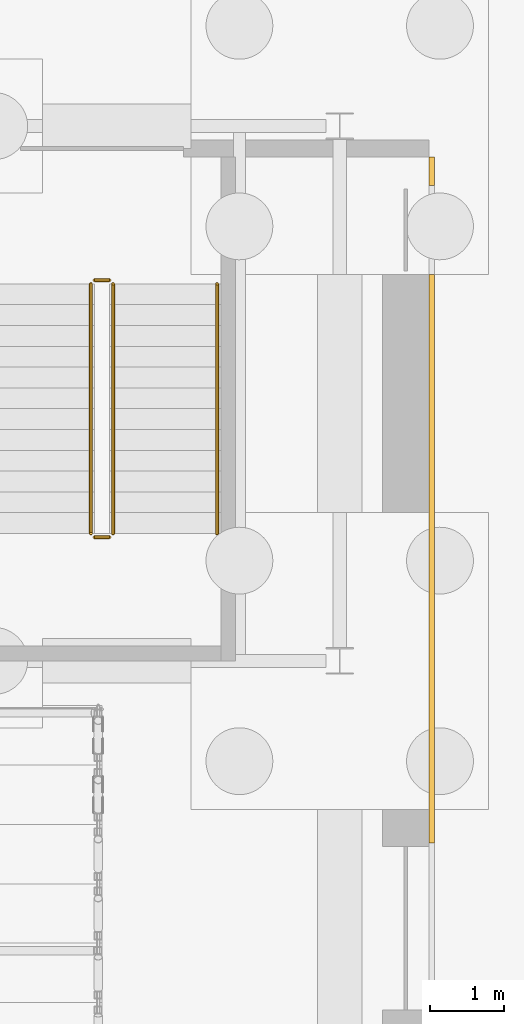
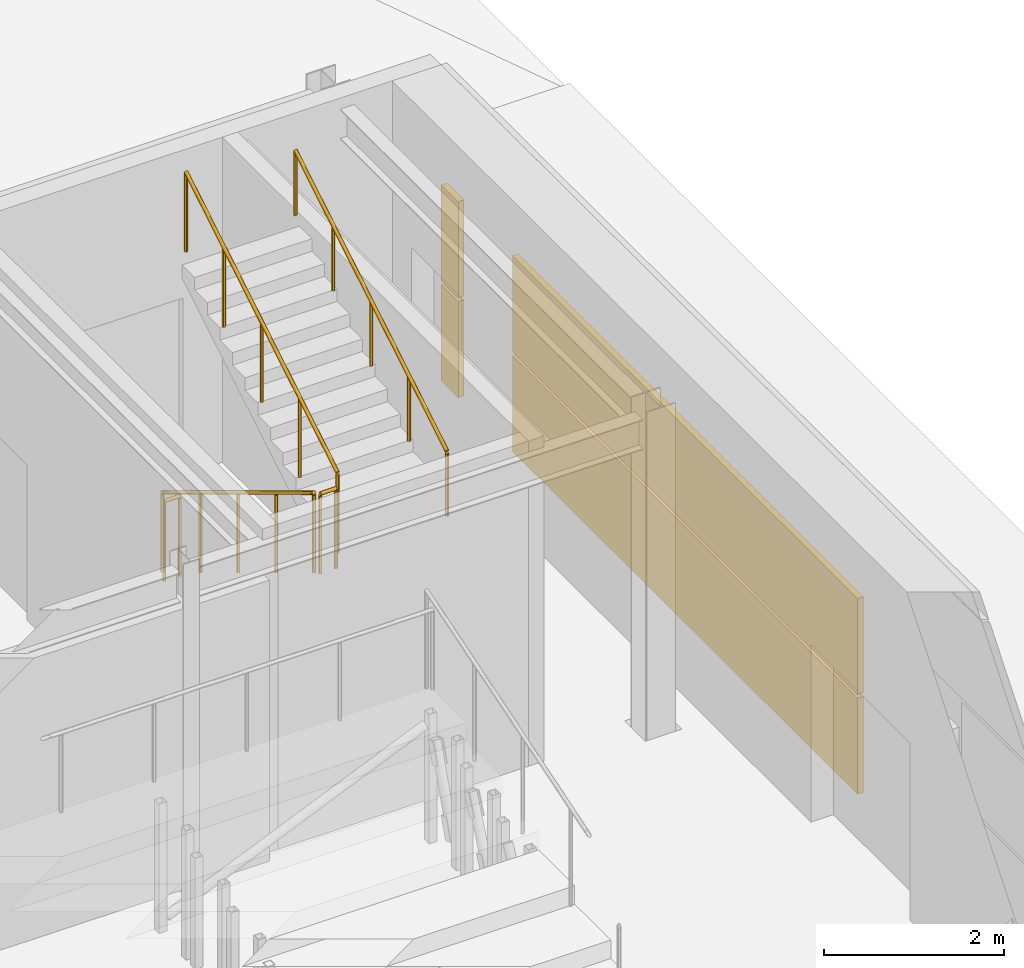
# One storey, part 135 of 139: 5 railings, 4 coverings.
"""IFC4 building model written with IfcOpenShell, lengths in metres."""

from ifc_helpers import new_model, si_unit, direction, frame, origin, origin_2d, place, context, subcontext, project, spatial, rectangle, circle, extrude, material, layer, layer_set, type_object, element, save


model = new_model("IFC4")

# Units and contexts
model_context = context("Model", 3, precision=1e-05, world=origin(), true_north=direction((0.0, 1.0)))
body_context = subcontext(model_context, "Body", "Model", "MODEL_VIEW")
ifc_project = project(units=[si_unit("LENGTHUNIT", "METRE"), si_unit("AREAUNIT", "SQUARE_METRE"), si_unit("VOLUMEUNIT", "CUBIC_METRE"), si_unit("PLANEANGLEUNIT", "RADIAN"), si_unit("MASSUNIT", "GRAM", prefix="KILO")], contexts=[model_context])

# Site, building, storey
site_placement = place(None, origin())
site = spatial("IfcSite", under=ifc_project, at=site_placement, CompositionType="ELEMENT")
building_placement = place(site_placement, origin())
building = spatial("IfcBuilding", under=site, at=building_placement, Name="Verrick Yard Athletic Hall", CompositionType="ELEMENT")
storey_placement = place(building_placement, origin())
storey = spatial("IfcBuildingStorey", under=building, at=storey_placement, Name="L00", CompositionType="ELEMENT", Elevation=0.0)

# Railings
ifc_material_1 = material(Name="Stainless steel", Category="steel")
railing_type_1 = type_object("IfcRailingType", Name="Stair and core guard 1100", PredefinedType="GUARDRAIL", material=ifc_material_1)
railing_1_placement = place(storey_placement, frame((166.25, 105.875, 0.169189453125)))
element("IfcRailing", 1, at=railing_1_placement, inside=storey, type_object=railing_type_1, Name="L00 Sports Hall A east band stair guard 1", PredefinedType="GUARDRAIL", context=body_context, shape_type="SweptSolid", body=[
    extrude(circle(Radius=0.02392578125, at=origin_2d()), frame((0.0, 0.0, 1.076171875), z_axis=(0.0, -0.855836976705, 0.517245656632), x_axis=(1.0, 0.0, 0.0)), (0.0, 0.0, 1.0), 3.926025390625),
    extrude(circle(Radius=0.02099609375, at=origin_2d()), origin(), (0.0, 0.0, 1.0), 1.052001953125),
    extrude(circle(Radius=0.02099609375, at=origin_2d()), frame((0.0, -0.840087890625, 0.5078125)), (0.0, 0.0, 1.0), 1.052001953125),
    extrude(circle(Radius=0.02099609375, at=origin_2d()), frame((0.0, -1.68017578125, 1.015380859375)), (0.0, 0.0, 1.0), 1.052001953125),
    extrude(circle(Radius=0.02099609375, at=origin_2d()), frame((0.0, -2.52001953125, 1.52294921875)), (0.0, 0.0, 1.0), 1.052001953125),
    extrude(circle(Radius=0.02099609375, at=origin_2d()), frame((0.0, -3.360107421875, 2.03076171875)), (0.0, 0.0, 1.0), 1.052001953125),
])
railing_2_placement = place(storey_placement, frame((166.300048828125, 102.465087890625, 2.199951171875)))
element("IfcRailing", 2, at=railing_2_placement, inside=storey, type_object=railing_type_1, Name="L00 Sports Hall A east band stair guard 2", PredefinedType="GUARDRAIL", context=body_context, shape_type="SweptSolid", body=[
    extrude(circle(Radius=0.02392578125, at=origin_2d()), frame((0.0, 0.0, 1.076171875), z_axis=(1.0, 0.0, 0.0), x_axis=(0.0, 1.0, 0.0)), (0.0, 0.0, 1.0), 0.199951171875),
    extrude(circle(Radius=0.02099609375, at=origin_2d()), origin(), (0.0, 0.0, 1.0), 1.052001953125),
    extrude(circle(Radius=0.02099609375, at=origin_2d()), frame((0.199951171875, 0.0, 0.0)), (0.0, 0.0, 1.0), 1.052001953125),
])
railing_3_placement = place(storey_placement, frame((166.550048828125, 102.514892578125, 2.369140625)))
element("IfcRailing", 3, at=railing_3_placement, inside=storey, type_object=railing_type_1, Name="L00 Sports Hall A east band stair guard 3", PredefinedType="GUARDRAIL", context=body_context, shape_type="SweptSolid", body=[
    extrude(circle(Radius=0.02392578125, at=origin_2d()), frame((0.0, 0.0, 1.076171875), z_axis=(0.0, 0.855836976705, 0.517245656632), x_axis=(-1.0, 0.0, 0.0)), (0.0, 0.0, 1.0), 3.926025390625),
    extrude(circle(Radius=0.02099609375, at=origin_2d()), origin(), (0.0, 0.0, 1.0), 1.052001953125),
    extrude(circle(Radius=0.02099609375, at=origin_2d()), frame((0.0, 0.840087890625, 0.5078125)), (0.0, 0.0, 1.0), 1.052001953125),
    extrude(circle(Radius=0.02099609375, at=origin_2d()), frame((0.0, 1.68017578125, 1.015380859375)), (0.0, 0.0, 1.0), 1.052001953125),
    extrude(circle(Radius=0.02099609375, at=origin_2d()), frame((0.0, 2.52001953125, 1.52294921875)), (0.0, 0.0, 1.0), 1.052001953125),
    extrude(circle(Radius=0.02099609375, at=origin_2d()), frame((0.0, 3.360107421875, 2.03076171875)), (0.0, 0.0, 1.0), 1.052001953125),
])
railing_4_placement = place(storey_placement, frame((166.300048828125, 105.925048828125, 0.0)))
element("IfcRailing", 4, at=railing_4_placement, inside=storey, type_object=railing_type_1, Name="L00 Sports Hall A east band stair guard 4", PredefinedType="GUARDRAIL", context=body_context, shape_type="SweptSolid", body=[
    extrude(circle(Radius=0.02392578125, at=origin_2d()), frame((0.0, 0.0, 1.076171875), z_axis=(1.0, 0.0, 0.0), x_axis=(0.0, 1.0, 0.0)), (0.0, 0.0, 1.0), 0.199951171875),
    extrude(circle(Radius=0.02099609375, at=origin_2d()), origin(), (0.0, 0.0, 1.0), 1.052001953125),
    extrude(circle(Radius=0.02099609375, at=origin_2d()), frame((0.199951171875, 0.0, 0.0)), (0.0, 0.0, 1.0), 1.052001953125),
])
railing_type_2 = type_object("IfcRailingType", Name="Stair handrail 900", PredefinedType="HANDRAIL", material=ifc_material_1)
railing_5_placement = place(storey_placement, frame((167.949951171875, 102.514892578125, 2.369140625)))
element("IfcRailing", 5, at=railing_5_placement, inside=storey, type_object=railing_type_2, Name="L00 Sports Hall A east band stair handrail 2", PredefinedType="HANDRAIL", context=body_context, shape_type="SweptSolid", body=[
    extrude(circle(Radius=0.02392578125, at=origin_2d()), frame((0.0, 0.0, 0.8759765625), z_axis=(0.0, 0.855836976705, 0.517245656632), x_axis=(-1.0, 0.0, 0.0)), (0.0, 0.0, 1.0), 3.926025390625),
    extrude(circle(Radius=0.02099609375, at=origin_2d()), origin(), (0.0, 0.0, 1.0), 0.851806640625),
    extrude(circle(Radius=0.02099609375, at=origin_2d()), frame((0.0, 0.840087890625, 0.5078125)), (0.0, 0.0, 1.0), 0.851806640625),
    extrude(circle(Radius=0.02099609375, at=origin_2d()), frame((0.0, 1.68017578125, 1.015380859375)), (0.0, 0.0, 1.0), 0.851806640625),
    extrude(circle(Radius=0.02099609375, at=origin_2d()), frame((0.0, 2.52001953125, 1.52294921875)), (0.0, 0.0, 1.0), 0.851806640625),
    extrude(circle(Radius=0.02099609375, at=origin_2d()), frame((0.0, 3.360107421875, 2.03076171875)), (0.0, 0.0, 1.0), 0.851806640625),
])

# Coverings
ifc_material_2 = material(Name="Tyndall-stone-look precast cladding", Category="masonry")
ifc_layer = layer(ifc_material_2, 0.125)
ifc_layer_set = layer_set([ifc_layer], Name="Stone cladding")
covering_type = type_object("IfcCoveringType", Name="Stone cladding", PredefinedType="CLADDING", material=ifc_layer_set)
covering_1_placement = place(storey_placement, frame((170.83740234375, 102.17578125, 0.125), z_axis=(0.0, 0.0, 1.0), x_axis=(0.0, 1.0, 0.0)))
element("IfcCovering", 6, at=covering_1_placement, inside=storey, type_object=covering_type, Name="Hall base rustication", PredefinedType="CLADDING", context=body_context, shape_type="SweptSolid", body=[
    extrude(rectangle(XDim=7.64990234375, YDim=0.074951171875, at=origin_2d()), origin(), (0.0, 0.0, 1.0), 1.300048828125),
])
covering_2_placement = place(storey_placement, frame((170.83740234375, 107.391357421875, 0.125), z_axis=(0.0, 0.0, 1.0), x_axis=(0.0, 1.0, 0.0)))
element("IfcCovering", 7, at=covering_2_placement, inside=storey, type_object=covering_type, Name="Hall base rustication", PredefinedType="CLADDING", context=body_context, shape_type="SweptSolid", body=[
    extrude(rectangle(XDim=0.380859375, YDim=0.074951171875, at=origin_2d()), origin(), (0.0, 0.0, 1.0), 1.300048828125),
])
covering_3_placement = place(storey_placement, frame((170.83740234375, 102.17578125, 1.47509765625), z_axis=(0.0, 0.0, 1.0), x_axis=(0.0, 1.0, 0.0)))
element("IfcCovering", 8, at=covering_3_placement, inside=storey, type_object=covering_type, Name="Hall base rustication", PredefinedType="CLADDING", context=body_context, shape_type="SweptSolid", body=[
    extrude(rectangle(XDim=7.64990234375, YDim=0.074951171875, at=origin_2d()), origin(), (0.0, 0.0, 1.0), 1.300048828125),
])
covering_4_placement = place(storey_placement, frame((170.83740234375, 107.391357421875, 1.47509765625), z_axis=(0.0, 0.0, 1.0), x_axis=(0.0, 1.0, 0.0)))
element("IfcCovering", 9, at=covering_4_placement, inside=storey, type_object=covering_type, Name="Hall base rustication", PredefinedType="CLADDING", context=body_context, shape_type="SweptSolid", body=[
    extrude(rectangle(XDim=0.380859375, YDim=0.074951171875, at=origin_2d()), origin(), (0.0, 0.0, 1.0), 1.300048828125),
])

save(model, "model.ifc")
